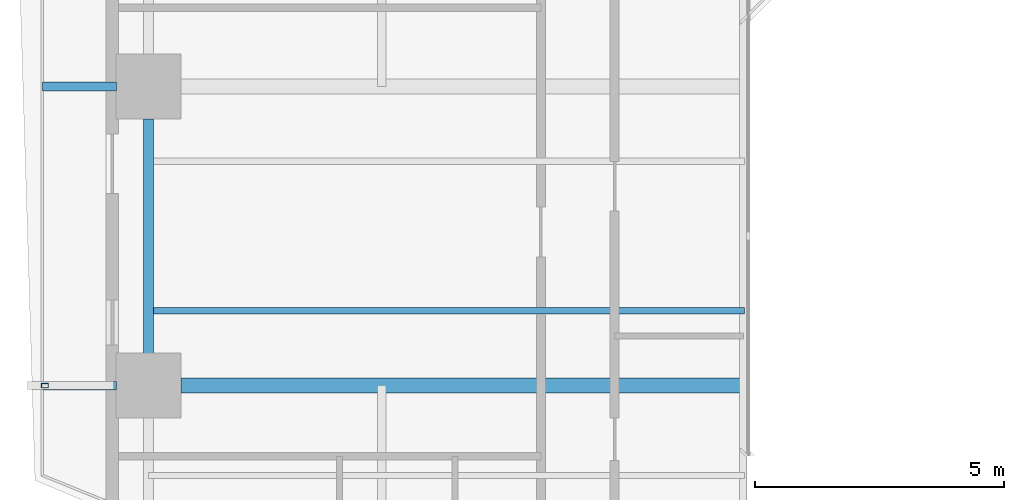
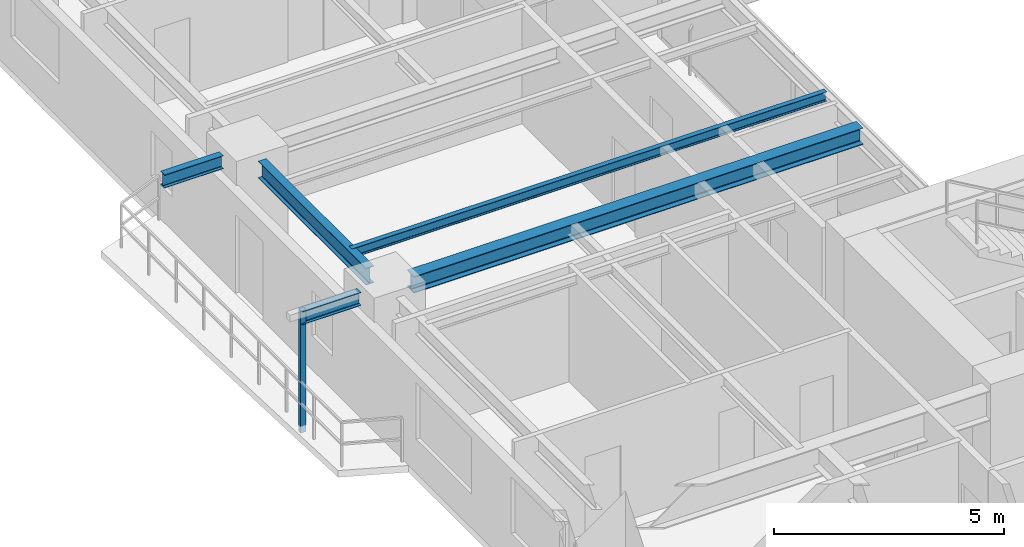
# One storey, part 3 of 23: 5 beams, 1 member.
"""IFC4 building model written with IfcOpenShell, lengths in metres."""

from ifc_helpers import new_model, si_unit, direction, frame, origin, origin_2d, place, context, subcontext, project, spatial, hollow_rectangle, i_section, extrude, source, transform, mapped, material, material_profile, profile_set, type_object, element, save


model = new_model("IFC4")

# Units and contexts
model_context = context("Model", 3, precision=1e-05, world=origin(), true_north=direction((0.0, 1.0)))
body_context = subcontext(model_context, "Body", "Model", "MODEL_VIEW")
ifc_project = project(units=[si_unit("LENGTHUNIT", "METRE"), si_unit("AREAUNIT", "SQUARE_METRE"), si_unit("VOLUMEUNIT", "CUBIC_METRE"), si_unit("PLANEANGLEUNIT", "RADIAN"), si_unit("MASSUNIT", "GRAM", prefix="KILO"), si_unit("THERMODYNAMICTEMPERATUREUNIT", "KELVIN"), si_unit("POWERUNIT", "WATT")], contexts=[model_context])

# Site, building, storey
site_placement = place(None, origin())
site = spatial("IfcSite", under=ifc_project, at=site_placement, CompositionType="ELEMENT")
building_placement = place(site_placement, origin())
building = spatial("IfcBuilding", under=site, at=building_placement, Name="Qiaomeng Ring Towers", CompositionType="ELEMENT")
storey_placement = place(building_placement, frame((0.0, 0.0, 86.0)))
storey = spatial("IfcBuildingStorey", under=building, at=storey_placement, Name="L24", CompositionType="ELEMENT", Elevation=86.0)

# Beams
ifc_material_1 = material(Name="Steel Q355B", Category="steel")
ifc_material_profile_1 = material_profile(ifc_material_1, i_section(OverallWidth=0.199951171875, OverallDepth=0.449951171875, WebThickness=0.009033203125, FlangeThickness=0.013916015625, FilletRadius=0.01806640625, at=origin_2d()), Name="HN 450x200x9x14")
ifc_profile_set_1 = profile_set([ifc_material_profile_1], Name="Steel Q355B")
beam_type_1 = type_object("IfcBeamType", Name="STR-BM-HN450", PredefinedType="SPANDREL", material=ifc_profile_set_1)
shared_shape_1 = source(origin(), body_context, "Body", "SweptSolid", [
    extrude(i_section(OverallWidth=0.199951171875, OverallDepth=0.449951171875, WebThickness=0.009033203125, FlangeThickness=0.013916015625, FilletRadius=0.01806640625, at=origin_2d()), origin(), (0.0, 0.0, 1.0), 4.7021484375),
])
beam_1_placement = place(storey_placement, frame((0.85009765625, 25.35107421875, 2.844970703125), z_axis=(0.0, -1.0, 0.0), x_axis=(1.0, 0.0, 0.0)))
element("IfcBeam", 1, at=beam_1_placement, inside=storey, type_object=beam_type_1, Name="L24 beam STR-SP-L24-T1-W3-W2", PredefinedType="SPANDREL", context=body_context, shape_type="MappedRepresentation", body=[
    mapped(shared_shape_1, transform((0.0, 0.0, 0.0), x_axis=(1.0, 0.0, 0.0), y_axis=(0.0, 1.0, 0.0), z_axis=(0.0, 0.0, 1.0), scale=1.0)),
])
ifc_material_profile_2 = material_profile(ifc_material_1, i_section(OverallWidth=0.300048828125, OverallDepth=0.43994140625, WebThickness=0.010986328125, FlangeThickness=0.01806640625, FilletRadius=0.02392578125, at=origin_2d()), Name="HM 440x300x11x18")
ifc_profile_set_2 = profile_set([ifc_material_profile_2], Name="Steel Q355B")
beam_type_2 = type_object("IfcBeamType", Name="STR-BM-HM440", PredefinedType="BEAM", material=ifc_profile_set_2)
shared_shape_2 = source(origin(), body_context, "Body", "SweptSolid", [
    extrude(i_section(OverallWidth=0.300048828125, OverallDepth=0.43994140625, WebThickness=0.010986328125, FlangeThickness=0.01806640625, FilletRadius=0.02392578125, at=origin_2d()), origin(), (0.0, 0.0, 1.0), 11.301025390625),
])
beam_2_placement = place(storey_placement, frame((1.4990234375, 20.0, 2.85009765625), z_axis=(1.0, 0.0, 0.0), x_axis=(0.0, 1.0, 0.0)))
element("IfcBeam", 2, at=beam_2_placement, inside=storey, type_object=beam_type_2, Name="L24 beam STR-BM-L24-T1-RAD-W2", PredefinedType="BEAM", context=body_context, shape_type="MappedRepresentation", body=[
    mapped(shared_shape_2, transform((0.0, 0.0, 0.0), x_axis=(1.0, 0.0, 0.0), y_axis=(0.0, 1.0, 0.0), z_axis=(0.0, 0.0, 1.0), scale=1.0)),
])
ifc_material_profile_3 = material_profile(ifc_material_1, i_section(OverallWidth=0.125, OverallDepth=0.25, WebThickness=0.006103515625, FlangeThickness=0.009033203125, FilletRadius=0.011962890625, at=origin_2d()), Name="HN 250x125x6x9")
ifc_profile_set_3 = profile_set([ifc_material_profile_3], Name="Steel Q355B")
beam_type_3 = type_object("IfcBeamType", Name="STR-BM-HN250", PredefinedType="JOIST", material=ifc_profile_set_3)
shared_shape_3 = source(origin(), body_context, "Body", "SweptSolid", [
    extrude(i_section(OverallWidth=0.125, OverallDepth=0.25, WebThickness=0.006103515625, FlangeThickness=0.009033203125, FilletRadius=0.011962890625, at=origin_2d()), origin(), (0.0, 0.0, 1.0), 11.949951171875),
])
beam_3_placement = place(storey_placement, frame((0.85009765625, 21.5, 2.945068359375), z_axis=(1.0, 0.0, 0.0), x_axis=(0.0, 1.0, 0.0)))
element("IfcBeam", 3, at=beam_3_placement, inside=storey, type_object=beam_type_3, Name="L24 beam STR-JST-L24-T1W-2", PredefinedType="JOIST", context=body_context, shape_type="MappedRepresentation", body=[
    mapped(shared_shape_3, transform((0.0, 0.0, 0.0), x_axis=(1.0, 0.0, 0.0), y_axis=(0.0, 1.0, 0.0), z_axis=(0.0, 0.0, 1.0), scale=1.0)),
])
ifc_material_profile_4 = material_profile(ifc_material_1, i_section(OverallWidth=0.175048828125, OverallDepth=0.35009765625, WebThickness=0.007080078125, FlangeThickness=0.010986328125, FilletRadius=0.013916015625, at=origin_2d()), Name="HN 350x175x7x11")
ifc_profile_set_4 = profile_set([ifc_material_profile_4], Name="Steel Q355B")
beam_type_4 = type_object("IfcBeamType", Name="STR-BM-HN350", PredefinedType="JOIST", material=ifc_profile_set_4)
shared_shape_4 = source(origin(), body_context, "Body", "SweptSolid", [
    extrude(i_section(OverallWidth=0.175048828125, OverallDepth=0.35009765625, WebThickness=0.007080078125, FlangeThickness=0.010986328125, FilletRadius=0.013916015625, at=origin_2d()), origin(), (0.0, 0.0, 1.0), 1.48095703125),
])
for number, where, z_axis, x_axis, name in (
    (4, (-1.280029296875, 20.0, 2.89501953125), (1.0, 0.0, 0.0), (0.0, 1.0, 0.0), "L24 beam STR-BALBM-L24-W2"),
    (5, (-1.280029296875, 26.0, 2.89501953125), (1.0, 0.0, 0.0), (0.0, 1.0, 0.0), "L24 beam STR-BALBM-L24-W3"),
):
    element("IfcBeam", number, at=place(storey_placement, frame(where, z_axis=z_axis, x_axis=x_axis)), inside=storey, type_object=beam_type_4, Name=name, PredefinedType="JOIST", context=body_context, shape_type="MappedRepresentation", body=[
        mapped(shared_shape_4, transform((0.0, 0.0, 0.0), x_axis=(1.0, 0.0, 0.0), y_axis=(0.0, 1.0, 0.0), z_axis=(0.0, 0.0, 1.0), scale=1.0)),
    ])

# Member
ifc_material_2 = material(Name="Stainless steel 316", Category="steel")
ifc_material_profile_5 = material_profile(ifc_material_2, hollow_rectangle(XDim=0.090087890625, YDim=0.139892578125, WallThickness=0.0048828125, at=origin_2d()), Name="SS TRELLIS 90x140")
ifc_profile_set_5 = profile_set([ifc_material_profile_5], Name="Stainless steel 316")
member_type = type_object("IfcMemberType", Name="ARC-TR-POST1", PredefinedType="STUD", material=ifc_profile_set_5)
shared_shape_5 = source(origin(), body_context, "Body", "SweptSolid", [
    extrude(hollow_rectangle(XDim=0.090087890625, YDim=0.139892578125, WallThickness=0.0048828125, at=origin_2d()), origin(), (0.0, 0.0, 1.0), 3.25),
])
member_placement = place(storey_placement, frame((-1.22998046875, 20.0, -0.179931640625), z_axis=(0.0, 0.0, 1.0), x_axis=(0.0, 1.0, 0.0)))
element("IfcMember", 6, at=member_placement, inside=storey, type_object=member_type, Name="L24 Outer Ventilated Trellis Post W", PredefinedType="STUD", context=body_context, shape_type="MappedRepresentation", body=[
    mapped(shared_shape_5, transform((0.0, 0.0, 0.0), x_axis=(1.0, 0.0, 0.0), y_axis=(0.0, 1.0, 0.0), z_axis=(0.0, 0.0, 1.0), scale=1.0)),
])

save(model, "model.ifc")
